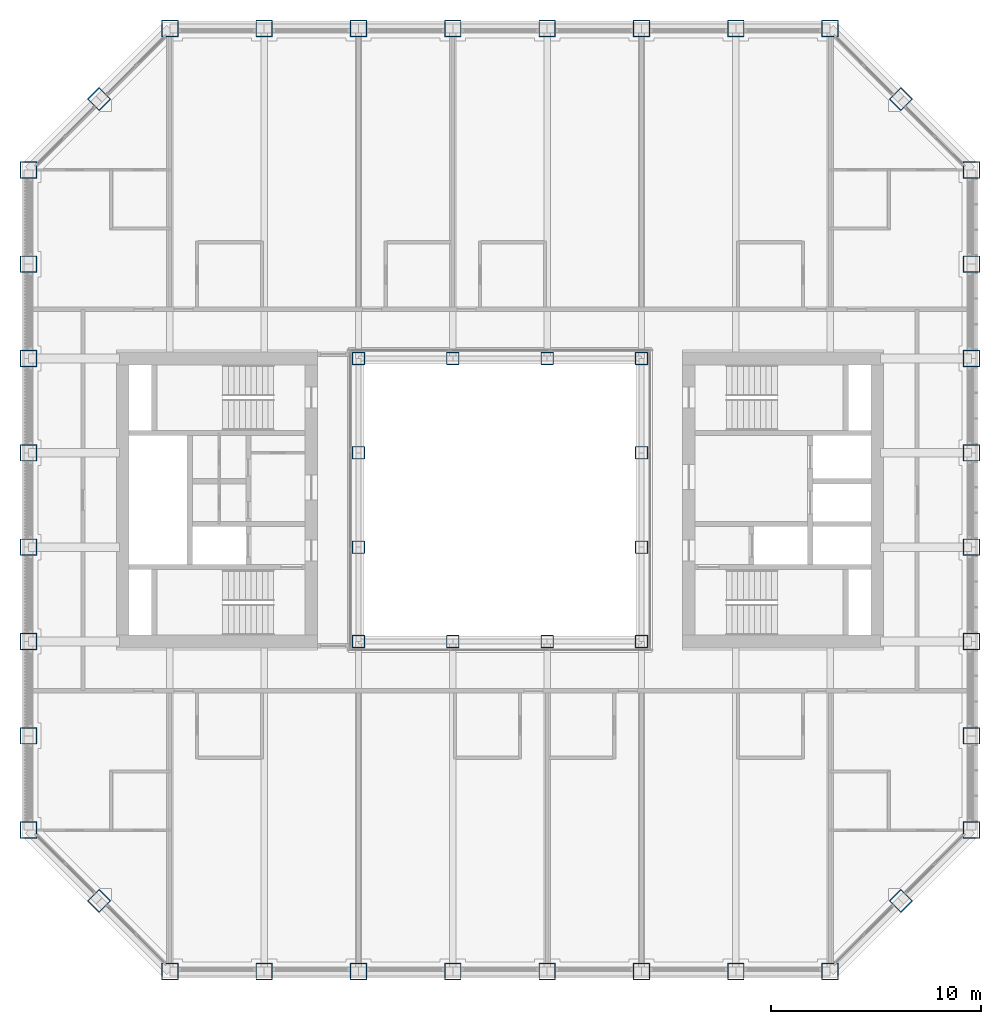
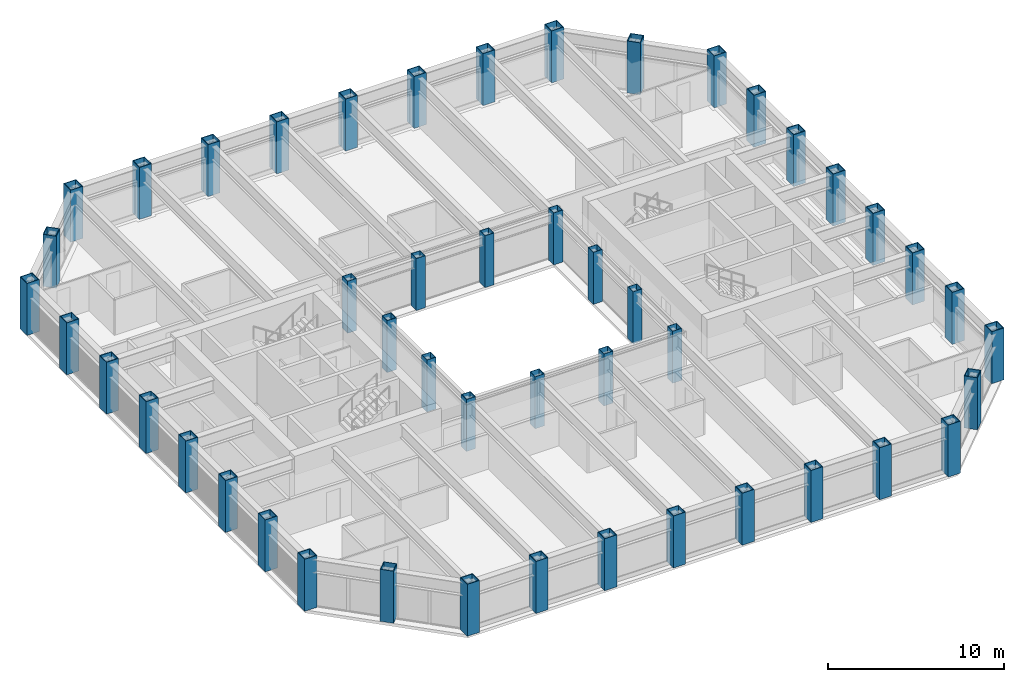
# One storey, part 1 of 17: 48 columns.
"""IFC4 building model written with IfcOpenShell, lengths in metres."""

from ifc_helpers import new_model, si_unit, direction, frame, origin, origin_2d, place, context, subcontext, project, spatial, hollow_rectangle, extrude, material, material_profile, profile_set, type_object, element, save


model = new_model("IFC4")

# Units and contexts
model_context = context("Model", 3, precision=1e-05, world=origin(), true_north=direction((0.0, 1.0)))
body_context = subcontext(model_context, "Body", "Model", "MODEL_VIEW")
ifc_project = project(units=[si_unit("LENGTHUNIT", "METRE"), si_unit("AREAUNIT", "SQUARE_METRE"), si_unit("VOLUMEUNIT", "CUBIC_METRE"), si_unit("PLANEANGLEUNIT", "RADIAN"), si_unit("MASSUNIT", "GRAM", prefix="KILO")], contexts=[model_context])

# Site, building, storey
site_placement = place(None, origin())
site = spatial("IfcSite", under=ifc_project, at=site_placement, CompositionType="ELEMENT")
building_placement = place(site_placement, origin())
building = spatial("IfcBuilding", under=site, at=building_placement, Name="Msasa Ring Tower", CompositionType="ELEMENT")
storey_placement = place(building_placement, frame((0.0, 0.0, 168.800048828125)))
storey = spatial("IfcBuildingStorey", under=building, at=storey_placement, Name="L44", CompositionType="ELEMENT", Elevation=168.800048828125)

# Columns
ifc_material_1 = material(Name="Steel S355", Category="steel")
ifc_material_profile_1 = material_profile(ifc_material_1, hollow_rectangle(XDim=0.60009765625, YDim=0.60009765625, WallThickness=0.030029296875, at=origin_2d()), Name="BOX 600x600x30")
ifc_profile_set_1 = profile_set([ifc_material_profile_1], Name="Steel S355")
column_type_1 = type_object("IfcColumnType", Name="IC5 BOX 600x600x30", PredefinedType="COLUMN", material=ifc_profile_set_1)
for number, where, z_axis, x_axis, name in (
    (1, (-6.75, -6.75, 0.0), (0.0, 0.0, 1.0), (1.0, 0.0, 0.0), "Inner ring column IR-6.75-6.75 L44"),
    (2, (-6.75, -2.25, 0.0), (0.0, 0.0, 1.0), (1.0, 0.0, 0.0), "Inner ring column IR-6.75-2.25 L44"),
    (3, (-6.75, 2.25, 0.0), (0.0, 0.0, 1.0), (1.0, 0.0, 0.0), "Inner ring column IR-6.75+2.25 L44"),
    (4, (-6.75, 6.75, 0.0), (0.0, 0.0, 1.0), (1.0, 0.0, 0.0), "Inner ring column IR-6.75+6.75 L44"),
    (5, (-2.25, -6.75, 0.0), (0.0, 0.0, 1.0), (1.0, 0.0, 0.0), "Inner ring column IR-2.25-6.75 L44"),
    (6, (-2.25, 6.75, 0.0), (0.0, 0.0, 1.0), (1.0, 0.0, 0.0), "Inner ring column IR-2.25+6.75 L44"),
    (7, (2.25, -6.75, 0.0), (0.0, 0.0, 1.0), (1.0, 0.0, 0.0), "Inner ring column IR+2.25-6.75 L44"),
    (8, (2.25, 6.75, 0.0), (0.0, 0.0, 1.0), (1.0, 0.0, 0.0), "Inner ring column IR+2.25+6.75 L44"),
    (9, (6.75, -6.75, 0.0), (0.0, 0.0, 1.0), (1.0, 0.0, 0.0), "Inner ring column IR+6.75-6.75 L44"),
    (10, (6.75, -2.25, 0.0), (0.0, 0.0, 1.0), (1.0, 0.0, 0.0), "Inner ring column IR+6.75-2.25 L44"),
    (11, (6.75, 2.25, 0.0), (0.0, 0.0, 1.0), (1.0, 0.0, 0.0), "Inner ring column IR+6.75+2.25 L44"),
    (12, (6.75, 6.75, 0.0), (0.0, 0.0, 1.0), (1.0, 0.0, 0.0), "Inner ring column IR+6.75+6.75 L44"),
):
    element("IfcColumn", number, at=place(storey_placement, frame(where, z_axis=z_axis, x_axis=x_axis)), inside=storey, type_object=column_type_1, Name=name, PredefinedType="COLUMN", context=body_context, shape_type="SweptSolid", body=[
        extrude(hollow_rectangle(XDim=0.60009765625, YDim=0.60009765625, WallThickness=0.030029296875, at=origin_2d()), origin(), (0.0, 0.0, 1.0), 3.599853515625),
    ])
ifc_material_2 = material(Name="Steel S355", Category="steel")
ifc_material_profile_2 = material_profile(ifc_material_2, hollow_rectangle(XDim=0.800048828125, YDim=0.800048828125, WallThickness=0.044921875, at=origin_2d()), Name="BOX 800x800x45")
ifc_profile_set_2 = profile_set([ifc_material_profile_2], Name="Steel S355")
column_type_2 = type_object("IfcColumnType", Name="TC5 BOX 800x800x45", PredefinedType="COLUMN", material=ifc_profile_set_2)
for number, where, z_axis, x_axis, name in (
    (13, (-15.75, -22.5, 0.0), (0.0, 0.0, 1.0), (0.0, 1.0, 0.0), "Tube column S-15.75 L44"),
    (14, (-15.75, 22.5, 0.0), (0.0, 0.0, 1.0), (0.0, 1.0, 0.0), "Tube column N-15.75 L44"),
    (15, (22.5, -15.75, 0.0), (0.0, 0.0, 1.0), (1.0, 0.0, 0.0), "Tube column E-15.75 L44"),
    (16, (-22.5, -15.75, 0.0), (0.0, 0.0, 1.0), (1.0, 0.0, 0.0), "Tube column W-15.75 L44"),
    (17, (-11.25, -22.5, 0.0), (0.0, 0.0, 1.0), (0.0, 1.0, 0.0), "Tube column S-11.25 L44"),
    (18, (-11.25, 22.5, 0.0), (0.0, 0.0, 1.0), (0.0, 1.0, 0.0), "Tube column N-11.25 L44"),
    (19, (22.5, -11.25, 0.0), (0.0, 0.0, 1.0), (1.0, 0.0, 0.0), "Tube column E-11.25 L44"),
    (20, (-22.5, -11.25, 0.0), (0.0, 0.0, 1.0), (1.0, 0.0, 0.0), "Tube column W-11.25 L44"),
    (21, (-6.75, -22.5, 0.0), (0.0, 0.0, 1.0), (0.0, 1.0, 0.0), "Tube column S-6.75 L44"),
    (22, (-6.75, 22.5, 0.0), (0.0, 0.0, 1.0), (0.0, 1.0, 0.0), "Tube column N-6.75 L44"),
    (23, (22.5, -6.75, 0.0), (0.0, 0.0, 1.0), (1.0, 0.0, 0.0), "Tube column E-6.75 L44"),
    (24, (-22.5, -6.75, 0.0), (0.0, 0.0, 1.0), (1.0, 0.0, 0.0), "Tube column W-6.75 L44"),
    (25, (-2.25, -22.5, 0.0), (0.0, 0.0, 1.0), (0.0, 1.0, 0.0), "Tube column S-2.25 L44"),
    (26, (-2.25, 22.5, 0.0), (0.0, 0.0, 1.0), (0.0, 1.0, 0.0), "Tube column N-2.25 L44"),
    (27, (22.5, -2.25, 0.0), (0.0, 0.0, 1.0), (1.0, 0.0, 0.0), "Tube column E-2.25 L44"),
    (28, (-22.5, -2.25, 0.0), (0.0, 0.0, 1.0), (1.0, 0.0, 0.0), "Tube column W-2.25 L44"),
    (29, (2.25, -22.5, 0.0), (0.0, 0.0, 1.0), (0.0, 1.0, 0.0), "Tube column S+2.25 L44"),
    (30, (2.25, 22.5, 0.0), (0.0, 0.0, 1.0), (0.0, 1.0, 0.0), "Tube column N+2.25 L44"),
    (31, (22.5, 2.25, 0.0), (0.0, 0.0, 1.0), (1.0, 0.0, 0.0), "Tube column E+2.25 L44"),
    (32, (-22.5, 2.25, 0.0), (0.0, 0.0, 1.0), (1.0, 0.0, 0.0), "Tube column W+2.25 L44"),
    (33, (6.75, -22.5, 0.0), (0.0, 0.0, 1.0), (0.0, 1.0, 0.0), "Tube column S+6.75 L44"),
    (34, (6.75, 22.5, 0.0), (0.0, 0.0, 1.0), (0.0, 1.0, 0.0), "Tube column N+6.75 L44"),
    (35, (22.5, 6.75, 0.0), (0.0, 0.0, 1.0), (1.0, 0.0, 0.0), "Tube column E+6.75 L44"),
    (36, (-22.5, 6.75, 0.0), (0.0, 0.0, 1.0), (1.0, 0.0, 0.0), "Tube column W+6.75 L44"),
    (37, (11.25, -22.5, 0.0), (0.0, 0.0, 1.0), (0.0, 1.0, 0.0), "Tube column S+11.25 L44"),
    (38, (11.25, 22.5, 0.0), (0.0, 0.0, 1.0), (0.0, 1.0, 0.0), "Tube column N+11.25 L44"),
    (39, (22.5, 11.25, 0.0), (0.0, 0.0, 1.0), (1.0, 0.0, 0.0), "Tube column E+11.25 L44"),
    (40, (-22.5, 11.25, 0.0), (0.0, 0.0, 1.0), (1.0, 0.0, 0.0), "Tube column W+11.25 L44"),
    (41, (15.75, -22.5, 0.0), (0.0, 0.0, 1.0), (0.0, 1.0, 0.0), "Tube column S+15.75 L44"),
    (42, (15.75, 22.5, 0.0), (0.0, 0.0, 1.0), (0.0, 1.0, 0.0), "Tube column N+15.75 L44"),
    (43, (22.5, 15.75, 0.0), (0.0, 0.0, 1.0), (1.0, 0.0, 0.0), "Tube column E+15.75 L44"),
    (44, (-22.5, 15.75, 0.0), (0.0, 0.0, 1.0), (1.0, 0.0, 0.0), "Tube column W+15.75 L44"),
    (45, (19.125, -19.125, 0.0), (0.0, 0.0, 1.0), (0.707106781187, -0.707106781187, 0.0), "Tube column SE L44"),
    (46, (19.125, 19.125, 0.0), (0.0, 0.0, 1.0), (0.707106781187, 0.707106781187, 0.0), "Tube column NE L44"),
    (47, (-19.125, 19.125, 0.0), (0.0, 0.0, 1.0), (0.707106781187, -0.707106781187, 0.0), "Tube column NW L44"),
    (48, (-19.125, -19.125, 0.0), (0.0, 0.0, 1.0), (0.707106781187, 0.707106781187, 0.0), "Tube column SW L44"),
):
    element("IfcColumn", number, at=place(storey_placement, frame(where, z_axis=z_axis, x_axis=x_axis)), inside=storey, type_object=column_type_2, Name=name, PredefinedType="COLUMN", context=body_context, shape_type="SweptSolid", body=[
        extrude(hollow_rectangle(XDim=0.800048828125, YDim=0.800048828125, WallThickness=0.044921875, at=origin_2d()), origin(), (0.0, 0.0, 1.0), 3.599853515625),
    ])

save(model, "model.ifc")
